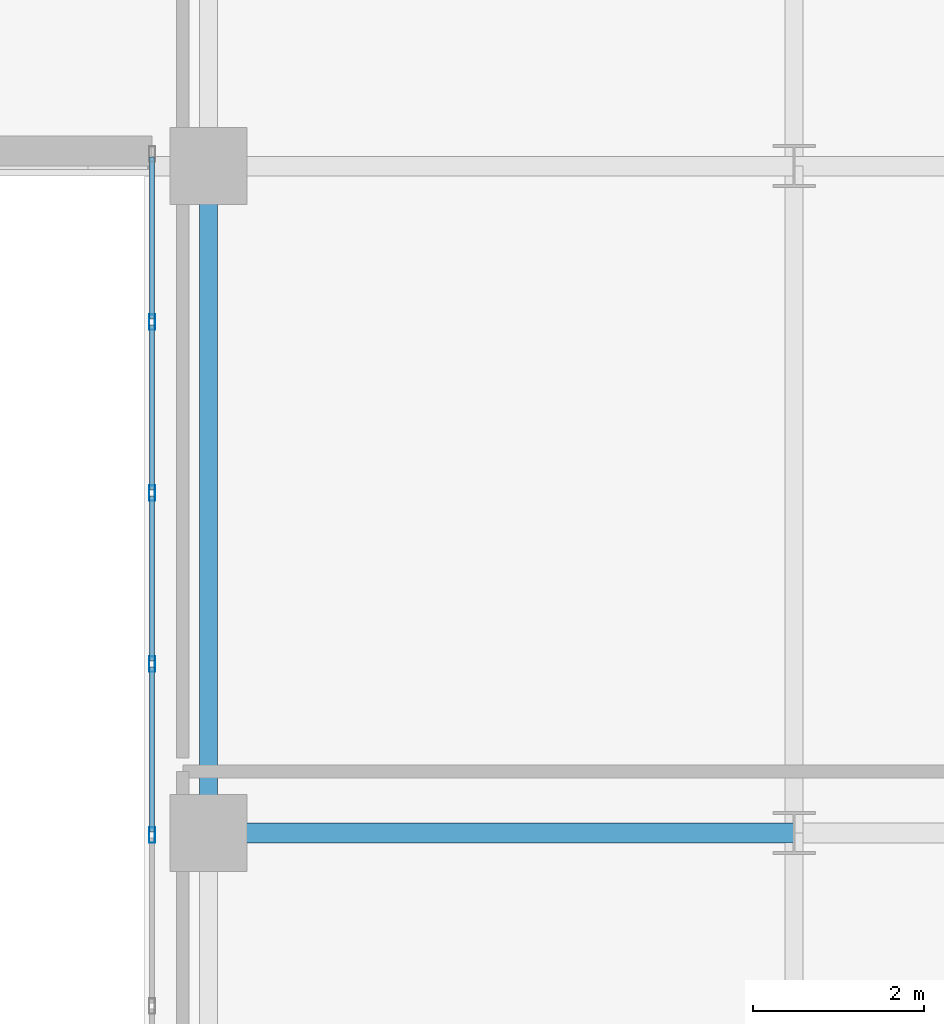
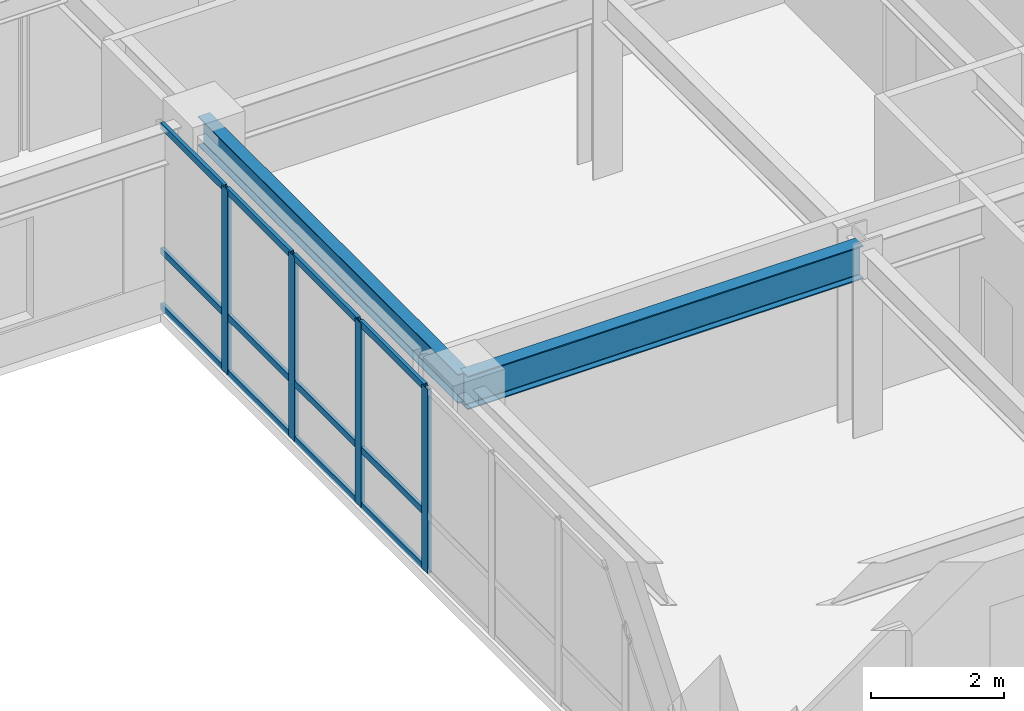
# One storey, part 16 of 37: 16 members, 2 beams, 1 element without a shape of its own.
"""IFC4 building model written with IfcOpenShell, lengths in metres."""

import ifcopenshell
import ifcopenshell.guid

model = None  # the IFC model being written
_history = None  # IfcOwnerHistory: only IFC2X3 demands one
_inside = {}  # id of a spatial element -> (the spatial element, [elements in it])
_under = {}  # id of a project, library or spatial element -> (it, [spatial elements below it])
_declared = {}  # id of a project -> (the project, [libraries it declares])
_typed = {}  # id of a type object -> (the type object, [elements of that type])
_made_of = {}  # id of a material, layer set ... -> (it, [elements and type objects made of it])


def new_model(schema):
    """Start an empty IFC model of exactly this schema.

    Asked for "IFC4X3", IfcOpenShell would pick the latest addendum, in which some entities
    have other attributes; the version numbers below select the first issue.
    IFC2X3 requires an IfcOwnerHistory on every rooted entity: one is made here for all.
    """
    global model, _history
    if schema == "IFC4X3":
        model = ifcopenshell.file(schema_version=(4, 3, 0, 0))
    else:
        model = ifcopenshell.file(schema=schema)
    _inside.clear()
    _under.clear()
    _declared.clear()
    _typed.clear()
    _made_of.clear()
    _history = None
    if model.schema == "IFC2X3":
        org = make("IfcOrganization", Name="unknown")
        user = make(
            "IfcPersonAndOrganization",
            ThePerson=make("IfcPerson", FamilyName="unknown"),
            TheOrganization=org,
        )
        app = make(
            "IfcApplication",
            ApplicationDeveloper=org,
            Version="unknown",
            ApplicationFullName="unknown",
            ApplicationIdentifier="unknown",
        )
        _history = make(
            "IfcOwnerHistory",
            OwningUser=user,
            OwningApplication=app,
            ChangeAction="ADDED",
            CreationDate=0,
        )
    return model


def make(cls, **values):
    """One entity of the class cls with the attributes given. An attribute that is None is left unset."""
    return model.create_entity(
        cls, **{name: value for name, value in values.items() if value is not None}
    )


def rooted(cls, **values):
    """An entity with a GlobalId (a new one), such as an element, a storey or a relation."""
    return make(cls, GlobalId=ifcopenshell.guid.new(), OwnerHistory=_history, **values)


def si_unit(unit_type, name, prefix=None):
    """IfcSIUnit, for example si_unit("LENGTHUNIT", "METRE", prefix="MILLI")."""
    return make("IfcSIUnit", UnitType=unit_type, Prefix=prefix, Name=name)


def assignment(units):
    """IfcUnitAssignment: the units of a project."""
    return None if units is None else make("IfcUnitAssignment", Units=units)


def point(xyz):
    """IfcCartesianPoint."""
    return None if xyz is None else make("IfcCartesianPoint", Coordinates=xyz)


def direction(xyz):
    """IfcDirection."""
    return None if xyz is None else make("IfcDirection", DirectionRatios=xyz)


def frame(location, z_axis=None, x_axis=None):
    """IfcAxis2Placement3D, a coordinate frame: its origin and axes. An axis left out is left unset."""
    return make(
        "IfcAxis2Placement3D",
        Location=point(location),
        Axis=direction(z_axis),
        RefDirection=direction(x_axis),
    )


def frame_2d(location, x_axis=None):
    """IfcAxis2Placement2D, a coordinate frame in the plane: its origin and x axis."""
    return make(
        "IfcAxis2Placement2D", Location=point(location), RefDirection=direction(x_axis)
    )


def origin():
    """The frame at (0, 0, 0) with its axes left unset."""
    return frame((0.0, 0.0, 0.0))


def origin_2d():
    """The frame at (0, 0) in the plane with its x axis left unset."""
    return frame_2d((0.0, 0.0))


def place(relative_to, where):
    """IfcLocalPlacement: puts the frame where relative to a parent placement (None: the world)."""
    return make(
        "IfcLocalPlacement", PlacementRelTo=relative_to, RelativePlacement=where
    )


def context(
    kind, dimensions, precision=None, world=None, true_north=None, identifier=None
):
    """IfcGeometricRepresentationContext, for example the 3D "Model" context."""
    return make(
        "IfcGeometricRepresentationContext",
        ContextIdentifier=identifier,
        ContextType=kind,
        CoordinateSpaceDimension=dimensions,
        Precision=precision,
        WorldCoordinateSystem=world,
        TrueNorth=true_north,
    )


def subcontext(parent, identifier, kind, view, scale=None):
    """IfcGeometricRepresentationSubContext, for example "Body" below "Model"."""
    return make(
        "IfcGeometricRepresentationSubContext",
        ContextIdentifier=identifier,
        ContextType=kind,
        ParentContext=parent,
        TargetScale=scale,
        TargetView=view,
    )


def project(units=None, contexts=None):
    """IfcProject with its units and contexts."""
    return rooted(
        "IfcProject",
        Name="project",
        RepresentationContexts=contexts,
        UnitsInContext=assignment(units),
    )


def spatial(cls, under=None, at=None, **own):
    """A site, building, storey or space (cls), placed at a placement, below another one or the project."""
    s = rooted(cls, ObjectPlacement=at, **own)
    if under is not None:
        _under.setdefault(under.id(), (under, []))[1].append(s)
    return s


def profile(cls, at=None, kind="AREA", **sizes):
    """A parametric profile (cls). Its sizes go by their IFC names, for example OverallWidth=200.0."""
    return make(cls, ProfileType=kind, Position=at, **sizes)


def hollow_rectangle(**sizes):
    """IfcRectangleHollowProfileDef."""
    return profile("IfcRectangleHollowProfileDef", **sizes)


def i_section(**sizes):
    """IfcIShapeProfileDef."""
    return profile("IfcIShapeProfileDef", **sizes)


def extrude(swept, where, along, depth):
    """IfcExtrudedAreaSolid: the profile swept, set in the frame where, extruded along a direction by depth."""
    return make(
        "IfcExtrudedAreaSolid",
        SweptArea=swept,
        Position=where,
        ExtrudedDirection=direction(along),
        Depth=depth,
    )


def shape(context_of_items, identifier, shape_type, items):
    """IfcShapeRepresentation: the items that make up one representation, for example the "Body"."""
    return make(
        "IfcShapeRepresentation",
        ContextOfItems=context_of_items,
        RepresentationIdentifier=identifier,
        RepresentationType=shape_type,
        Items=items,
    )


def source(mapping_origin, context_of_items, identifier, shape_type, items):
    """IfcRepresentationMap: a shape defined once, which mapped items show again and again."""
    return make(
        "IfcRepresentationMap",
        MappingOrigin=mapping_origin,
        MappedRepresentation=shape(context_of_items, identifier, shape_type, items),
    )


def transform(
    local_origin,
    x_axis=None,
    y_axis=None,
    z_axis=None,
    scale=None,
    scale2=None,
    scale3=None,
    uniform=True,
):
    """IfcCartesianTransformationOperator3D, or its non-uniform kind. x_axis, y_axis, z_axis: its Axis1, 2, 3."""
    if uniform:
        return make(
            "IfcCartesianTransformationOperator3D",
            Axis1=direction(x_axis),
            Axis2=direction(y_axis),
            LocalOrigin=point(local_origin),
            Scale=scale,
            Axis3=direction(z_axis),
        )
    return make(
        "IfcCartesianTransformationOperator3DnonUniform",
        Axis1=direction(x_axis),
        Axis2=direction(y_axis),
        LocalOrigin=point(local_origin),
        Scale=scale,
        Axis3=direction(z_axis),
        Scale2=scale2,
        Scale3=scale3,
    )


def mapped(mapping_source, mapping_target):
    """IfcMappedItem: shows the shape of a source again, moved by a transform."""
    return make(
        "IfcMappedItem", MappingSource=mapping_source, MappingTarget=mapping_target
    )


def material(Name=None, Category=None):
    """IfcMaterial."""
    return make("IfcMaterial", Name=Name, Category=Category)


def layer(
    of_material, thickness, ventilated=None, Name=None, Category=None, Priority=None
):
    """IfcMaterialLayer: one layer of a wall or slab, of a material (None: an air gap)."""
    return make(
        "IfcMaterialLayer",
        Material=of_material,
        LayerThickness=thickness,
        IsVentilated=ventilated,
        Name=Name,
        Category=Category,
        Priority=Priority,
    )


def layer_set(layers, Name=None):
    """IfcMaterialLayerSet."""
    return make("IfcMaterialLayerSet", MaterialLayers=layers, LayerSetName=Name)


def material_profile(
    of_material, cross_section, Name=None, Category=None, Priority=None
):
    """IfcMaterialProfile: a cross section and its material."""
    return make(
        "IfcMaterialProfile",
        Name=Name,
        Material=of_material,
        Profile=cross_section,
        Priority=Priority,
        Category=Category,
    )


def profile_set(profiles, Name=None, composite=None):
    """IfcMaterialProfileSet."""
    return make(
        "IfcMaterialProfileSet",
        Name=Name,
        MaterialProfiles=profiles,
        CompositeProfile=composite,
    )


def made_of(thing, what):
    """Note that an element or type object is made of a material, layer set ...; save() writes the relation."""
    if what is not None:
        _made_of.setdefault(what.id(), (what, []))[1].append(thing)
    return thing


def type_object(cls, material=None, **own):
    """A type object (cls), such as IfcWallType, which elements share."""
    return made_of(rooted(cls, **own), material)


def type_shapes(of_type, sources):
    """Give a type object the sources (RepresentationMaps) that its elements show as mapped items."""
    of_type.RepresentationMaps = sources


def element(
    cls,
    number,
    at=None,
    inside=None,
    cuts=None,
    type_object=None,
    material=None,
    context=None,
    identifier="Body",
    shape_type=None,
    held_by="IfcProductDefinitionShape",
    body=None,
    shapes=None,
    **own,
):
    """One element of the class cls, such as IfcWall. Its Tag is "e" and its number.

    at: its placement. inside: the storey or other place that contains it. cuts: it is an
    opening in that element (IfcRelVoidsElement). A single representation is given by context,
    identifier, shape_type and body (its items); several are given by shapes. held_by: the class
    of the entity that holds the representations. save() writes the other relations.
    """
    e = rooted(cls, Tag="e%d" % number, ObjectPlacement=at, **own)
    if body is not None:
        shapes = [shape(context, identifier, shape_type, body)]
    if shapes is not None:
        e.Representation = make(held_by, Representations=shapes)
    if inside is not None:
        _inside.setdefault(inside.id(), (inside, []))[1].append(e)
    if cuts is not None:
        rooted(
            "IfcRelVoidsElement", RelatingBuildingElement=cuts, RelatedOpeningElement=e
        )
    if type_object is not None:
        _typed.setdefault(type_object.id(), (type_object, []))[1].append(e)
    return made_of(e, material)


def aggregate(whole, parts):
    """IfcRelAggregates: a whole, such as a stair, and the parts it consists of."""
    return rooted("IfcRelAggregates", RelatingObject=whole, RelatedObjects=parts)


def save(model, path):
    """Write the relations noted so far, then the file.

    IfcRelAggregates (storeys below a building ...), IfcRelContainedInSpatialStructure (elements
    in a storey), IfcRelDefinesByType, IfcRelAssociatesMaterial and IfcRelDeclares: one each for
    every whole, place, type object, material and project.
    """
    for whole, parts in _under.values():
        aggregate(whole, parts)
    for where, things in _inside.values():
        rooted(
            "IfcRelContainedInSpatialStructure",
            RelatedElements=things,
            RelatingStructure=where,
        )
    for kind, things in _typed.values():
        rooted("IfcRelDefinesByType", RelatedObjects=things, RelatingType=kind)
    for what, things in _made_of.values():
        rooted("IfcRelAssociatesMaterial", RelatedObjects=things, RelatingMaterial=what)
    for by, libraries in _declared.values():
        rooted("IfcRelDeclares", RelatingContext=by, RelatedDefinitions=libraries)
    model.write(path)


model = new_model("IFC4")

# Units and contexts
model_context = context("Model", 3, precision=1e-05, world=origin(), true_north=direction((0.0, 1.0)))
body_context = subcontext(model_context, "Body", "Model", "MODEL_VIEW")
ifc_project = project(units=[si_unit("LENGTHUNIT", "METRE"), si_unit("AREAUNIT", "SQUARE_METRE"), si_unit("VOLUMEUNIT", "CUBIC_METRE"), si_unit("PLANEANGLEUNIT", "RADIAN"), si_unit("MASSUNIT", "GRAM", prefix="KILO")], contexts=[model_context])

# Site, building, storey
site_placement = place(None, origin())
site = spatial("IfcSite", under=ifc_project, at=site_placement, CompositionType="ELEMENT")
building_placement = place(site_placement, origin())
building = spatial("IfcBuilding", under=site, at=building_placement, Name="Tolvann Quenvar Hotel", CompositionType="ELEMENT")
storey_placement = place(building_placement, frame((0.0, 0.0, 104.449951171875)))
storey = spatial("IfcBuildingStorey", under=building, at=storey_placement, Name="L26", CompositionType="ELEMENT", Elevation=104.449951171875)

# Beams
ifc_material_1 = material(Name="Steel Grade 350", Category="steel")
ifc_material_profile_1 = material_profile(ifc_material_1, i_section(OverallWidth=0.22900390625, OverallDepth=0.612060546875, WebThickness=0.011962890625, FlangeThickness=0.01953125, FilletRadius=0.013916015625, at=origin_2d()), Name="610UB125")
ifc_profile_set_1 = profile_set([ifc_material_profile_1], Name="Steel Grade 350")
beam_type_1 = type_object("IfcBeamType", Name="BM_GIRD_610UB125", PredefinedType="BEAM", material=ifc_profile_set_1)
shared_shape_1 = source(origin(), body_context, "Body", "SweptSolid", [
    extrude(i_section(OverallWidth=0.22900390625, OverallDepth=0.612060546875, WebThickness=0.011962890625, FlangeThickness=0.01953125, FilletRadius=0.013916015625, at=origin_2d()), origin(), (0.0, 0.0, 1.0), 6.85009765625),
])
type_shapes(beam_type_1, [shared_shape_1])
beam_1_placement = place(storey_placement, frame((34.949951171875, 8.199951171875, 3.06396484375), z_axis=(1.0, 0.0, 0.0), x_axis=(0.0, 1.0, 0.0)))
element("IfcBeam", 1, at=beam_1_placement, inside=storey, type_object=beam_type_1, Name="BM-L26-EW-3-F3-H3", PredefinedType="BEAM", context=body_context, shape_type="MappedRepresentation", body=[
    mapped(shared_shape_1, transform((0.0, 0.0, 0.0), x_axis=(1.0, 0.0, 0.0), y_axis=(0.0, 1.0, 0.0), z_axis=(0.0, 0.0, 1.0), scale=1.0)),
])
ifc_material_profile_2 = material_profile(ifc_material_1, i_section(OverallWidth=0.208984375, OverallDepth=0.532958984375, WebThickness=0.01025390625, FlangeThickness=0.015625, FilletRadius=0.013916015625, at=origin_2d()), Name="530UB92")
ifc_profile_set_2 = profile_set([ifc_material_profile_2], Name="Steel Grade 350")
beam_type_2 = type_object("IfcBeamType", Name="BM_GIRD_530UB92", PredefinedType="BEAM", material=ifc_profile_set_2)
shared_shape_2 = source(origin(), body_context, "Body", "SweptSolid", [
    extrude(i_section(OverallWidth=0.208984375, OverallDepth=0.532958984375, WebThickness=0.01025390625, FlangeThickness=0.015625, FilletRadius=0.013916015625, at=origin_2d()), origin(), (0.0, 0.0, 1.0), 7.800048828125),
])
type_shapes(beam_type_2, [shared_shape_2])
beam_2_placement = place(storey_placement, frame((34.949951171875, 8.199951171875, 3.103515625), z_axis=(0.0, 1.0, 0.0), x_axis=(-1.0, 0.0, 0.0)))
element("IfcBeam", 2, at=beam_2_placement, inside=storey, type_object=beam_type_2, Name="BM-L26-NS-F3-F4", PredefinedType="BEAM", context=body_context, shape_type="MappedRepresentation", body=[
    mapped(shared_shape_2, transform((0.0, 0.0, 0.0), x_axis=(1.0, 0.0, 0.0), y_axis=(0.0, 1.0, 0.0), z_axis=(0.0, 0.0, 1.0), scale=1.0)),
])

# Curtain wall, members
ifc_material_2 = material(Name="Thermally broken anodised architectural aluminium 6063-T6 and laminated low-E glass", Category="aluminium")
ifc_layer = layer(ifc_material_2, 0.179931640625)
ifc_layer_set = layer_set([ifc_layer], Name="Thermally broken anodised architectural aluminium 6063-T6 and laminated low-E glass")
curtain_wall_type = type_object("IfcCurtainWallType", Name="CW_SYS_SLOT_03", PredefinedType="USERDEFINED", material=ifc_layer_set)
curtain_wall_placement = place(storey_placement, origin())
curtain_wall = element("IfcCurtainWall", 3, at=curtain_wall_placement, inside=storey, type_object=curtain_wall_type, Name="Curtain Wall CW-SLOT-03 (CWR-L26-E07)", ObjectType="UNITISED CURTAIN WALL", PredefinedType="USERDEFINED")
ifc_material_3 = material(Name="Anodised architectural aluminium 6063-T6 framing", Category="aluminium")
ifc_material_profile_3 = material_profile(ifc_material_3, hollow_rectangle(XDim=0.070068359375, YDim=0.179931640625, WallThickness=0.00390625, at=origin_2d()), Name="180x70x4RHS")
ifc_profile_set_3 = profile_set([ifc_material_profile_3], Name="Anodised architectural aluminium 6063-T6 framing")
member_type_1 = type_object("IfcMemberType", Name="CW_MULL_180x70", PredefinedType="MULLION", material=ifc_profile_set_3)
shared_shape_3 = source(origin(), body_context, "Body", "SweptSolid", [
    extrude(hollow_rectangle(XDim=0.070068359375, YDim=0.179931640625, WallThickness=0.00390625, at=origin_2d()), origin(), (0.0, 0.0, 1.0), 3.3701171875),
])
type_shapes(member_type_1, [shared_shape_3])
member_1_placement = place(storey_placement, frame((34.2900390625, 14.175048828125, 0.0), z_axis=(0.0, 0.0, 1.0), x_axis=(1.0, 0.0, 0.0)))
member_1 = element("IfcMember", 4, at=member_1_placement, type_object=member_type_1, Name="CW-SLOT-03 mullion 2", PredefinedType="MULLION", context=body_context, shape_type="MappedRepresentation", body=[
    mapped(shared_shape_3, transform((0.0, 0.0, 0.0), x_axis=(1.0, 0.0, 0.0), y_axis=(0.0, 1.0, 0.0), z_axis=(0.0, 0.0, 1.0), scale=1.0)),
])
member_2_placement = place(storey_placement, frame((34.2900390625, 12.175048828125, 0.0), z_axis=(0.0, 0.0, 1.0), x_axis=(1.0, 0.0, 0.0)))
member_2 = element("IfcMember", 5, at=member_2_placement, type_object=member_type_1, Name="CW-SLOT-03 mullion 3", PredefinedType="MULLION", context=body_context, shape_type="MappedRepresentation", body=[
    mapped(shared_shape_3, transform((0.0, 0.0, 0.0), x_axis=(1.0, 0.0, 0.0), y_axis=(0.0, 1.0, 0.0), z_axis=(0.0, 0.0, 1.0), scale=1.0)),
])
member_3_placement = place(storey_placement, frame((34.2900390625, 10.175048828125, 0.0), z_axis=(0.0, 0.0, 1.0), x_axis=(1.0, 0.0, 0.0)))
member_3 = element("IfcMember", 6, at=member_3_placement, type_object=member_type_1, Name="CW-SLOT-03 mullion 4", PredefinedType="MULLION", context=body_context, shape_type="MappedRepresentation", body=[
    mapped(shared_shape_3, transform((0.0, 0.0, 0.0), x_axis=(1.0, 0.0, 0.0), y_axis=(0.0, 1.0, 0.0), z_axis=(0.0, 0.0, 1.0), scale=1.0)),
])
member_4_placement = place(storey_placement, frame((34.2900390625, 8.175048828125, 0.0), z_axis=(0.0, 0.0, 1.0), x_axis=(1.0, 0.0, 0.0)))
member_4 = element("IfcMember", 7, at=member_4_placement, type_object=member_type_1, Name="CW-SLOT-03 mullion 5", PredefinedType="MULLION", context=body_context, shape_type="MappedRepresentation", body=[
    mapped(shared_shape_3, transform((0.0, 0.0, 0.0), x_axis=(1.0, 0.0, 0.0), y_axis=(0.0, 1.0, 0.0), z_axis=(0.0, 0.0, 1.0), scale=1.0)),
])
ifc_material_profile_4 = material_profile(ifc_material_3, hollow_rectangle(XDim=0.06005859375, YDim=0.1201171875, WallThickness=0.00341796875, at=origin_2d()), Name="120x60x3.5RHS")
ifc_profile_set_4 = profile_set([ifc_material_profile_4], Name="Anodised architectural aluminium 6063-T6 framing")
member_type_2 = type_object("IfcMemberType", Name="CW_TRAN_120x60", PredefinedType="USERDEFINED", material=ifc_profile_set_4)
shared_shape_4 = source(origin(), body_context, "Body", "SweptSolid", [
    extrude(hollow_rectangle(XDim=0.06005859375, YDim=0.1201171875, WallThickness=0.00341796875, at=origin_2d()), origin(), (0.0, 0.0, 1.0), 1.929931640625),
])
member_5_placement = place(storey_placement, frame((34.2900390625, 14.139892578125, 0.030029296875), z_axis=(0.0, -1.0, 0.0), x_axis=(1.0, 0.0, 0.0)))
member_5 = element("IfcMember", 8, at=member_5_placement, type_object=member_type_2, Name="CW-SLOT-03 transom 2.1", ObjectType="TRANSOM", PredefinedType="USERDEFINED", context=body_context, shape_type="MappedRepresentation", body=[
    mapped(shared_shape_4, transform((0.0, 0.0, 0.0), x_axis=(1.0, 0.0, 0.0), y_axis=(0.0, 1.0, 0.0), z_axis=(0.0, 0.0, 1.0), scale=1.0)),
])
member_6_placement = place(storey_placement, frame((34.2900390625, 14.139892578125, 1.050048828125), z_axis=(0.0, -1.0, 0.0), x_axis=(1.0, 0.0, 0.0)))
member_6 = element("IfcMember", 9, at=member_6_placement, type_object=member_type_2, Name="CW-SLOT-03 transom 2.2", ObjectType="TRANSOM", PredefinedType="USERDEFINED", context=body_context, shape_type="MappedRepresentation", body=[
    mapped(shared_shape_4, transform((0.0, 0.0, 0.0), x_axis=(1.0, 0.0, 0.0), y_axis=(0.0, 1.0, 0.0), z_axis=(0.0, 0.0, 1.0), scale=1.0)),
])
member_7_placement = place(storey_placement, frame((34.2900390625, 14.139892578125, 3.340087890625), z_axis=(0.0, -1.0, 0.0), x_axis=(1.0, 0.0, 0.0)))
member_7 = element("IfcMember", 10, at=member_7_placement, type_object=member_type_2, Name="CW-SLOT-03 transom 2.3", ObjectType="TRANSOM", PredefinedType="USERDEFINED", context=body_context, shape_type="MappedRepresentation", body=[
    mapped(shared_shape_4, transform((0.0, 0.0, 0.0), x_axis=(1.0, 0.0, 0.0), y_axis=(0.0, 1.0, 0.0), z_axis=(0.0, 0.0, 1.0), scale=1.0)),
])
member_8_placement = place(storey_placement, frame((34.2900390625, 12.139892578125, 0.030029296875), z_axis=(0.0, -1.0, 0.0), x_axis=(1.0, 0.0, 0.0)))
member_8 = element("IfcMember", 11, at=member_8_placement, type_object=member_type_2, Name="CW-SLOT-03 transom 3.1", ObjectType="TRANSOM", PredefinedType="USERDEFINED", context=body_context, shape_type="MappedRepresentation", body=[
    mapped(shared_shape_4, transform((0.0, 0.0, 0.0), x_axis=(1.0, 0.0, 0.0), y_axis=(0.0, 1.0, 0.0), z_axis=(0.0, 0.0, 1.0), scale=1.0)),
])
member_9_placement = place(storey_placement, frame((34.2900390625, 12.139892578125, 1.050048828125), z_axis=(0.0, -1.0, 0.0), x_axis=(1.0, 0.0, 0.0)))
member_9 = element("IfcMember", 12, at=member_9_placement, type_object=member_type_2, Name="CW-SLOT-03 transom 3.2", ObjectType="TRANSOM", PredefinedType="USERDEFINED", context=body_context, shape_type="MappedRepresentation", body=[
    mapped(shared_shape_4, transform((0.0, 0.0, 0.0), x_axis=(1.0, 0.0, 0.0), y_axis=(0.0, 1.0, 0.0), z_axis=(0.0, 0.0, 1.0), scale=1.0)),
])
member_10_placement = place(storey_placement, frame((34.2900390625, 12.139892578125, 3.340087890625), z_axis=(0.0, -1.0, 0.0), x_axis=(1.0, 0.0, 0.0)))
member_10 = element("IfcMember", 13, at=member_10_placement, type_object=member_type_2, Name="CW-SLOT-03 transom 3.3", ObjectType="TRANSOM", PredefinedType="USERDEFINED", context=body_context, shape_type="MappedRepresentation", body=[
    mapped(shared_shape_4, transform((0.0, 0.0, 0.0), x_axis=(1.0, 0.0, 0.0), y_axis=(0.0, 1.0, 0.0), z_axis=(0.0, 0.0, 1.0), scale=1.0)),
])
member_11_placement = place(storey_placement, frame((34.2900390625, 10.139892578125, 0.030029296875), z_axis=(0.0, -1.0, 0.0), x_axis=(1.0, 0.0, 0.0)))
member_11 = element("IfcMember", 14, at=member_11_placement, type_object=member_type_2, Name="CW-SLOT-03 transom 4.1", ObjectType="TRANSOM", PredefinedType="USERDEFINED", context=body_context, shape_type="MappedRepresentation", body=[
    mapped(shared_shape_4, transform((0.0, 0.0, 0.0), x_axis=(1.0, 0.0, 0.0), y_axis=(0.0, 1.0, 0.0), z_axis=(0.0, 0.0, 1.0), scale=1.0)),
])
member_12_placement = place(storey_placement, frame((34.2900390625, 10.139892578125, 1.050048828125), z_axis=(0.0, -1.0, 0.0), x_axis=(1.0, 0.0, 0.0)))
member_12 = element("IfcMember", 15, at=member_12_placement, type_object=member_type_2, Name="CW-SLOT-03 transom 4.2", ObjectType="TRANSOM", PredefinedType="USERDEFINED", context=body_context, shape_type="MappedRepresentation", body=[
    mapped(shared_shape_4, transform((0.0, 0.0, 0.0), x_axis=(1.0, 0.0, 0.0), y_axis=(0.0, 1.0, 0.0), z_axis=(0.0, 0.0, 1.0), scale=1.0)),
])
member_13_placement = place(storey_placement, frame((34.2900390625, 10.139892578125, 3.340087890625), z_axis=(0.0, -1.0, 0.0), x_axis=(1.0, 0.0, 0.0)))
member_13 = element("IfcMember", 16, at=member_13_placement, type_object=member_type_2, Name="CW-SLOT-03 transom 4.3", ObjectType="TRANSOM", PredefinedType="USERDEFINED", context=body_context, shape_type="MappedRepresentation", body=[
    mapped(shared_shape_4, transform((0.0, 0.0, 0.0), x_axis=(1.0, 0.0, 0.0), y_axis=(0.0, 1.0, 0.0), z_axis=(0.0, 0.0, 1.0), scale=1.0)),
])
shared_shape_5 = source(origin(), body_context, "Body", "SweptSolid", [
    extrude(hollow_rectangle(XDim=0.06005859375, YDim=0.1201171875, WallThickness=0.00341796875, at=origin_2d()), origin(), (0.0, 0.0, 1.0), 1.89501953125),
])
type_shapes(member_type_2, [shared_shape_4, shared_shape_5])
member_14_placement = place(storey_placement, frame((34.2900390625, 16.10498046875, 0.030029296875), z_axis=(0.0, -1.0, 0.0), x_axis=(1.0, 0.0, 0.0)))
member_14 = element("IfcMember", 17, at=member_14_placement, type_object=member_type_2, Name="CW-SLOT-03 transom 1.1", ObjectType="TRANSOM", PredefinedType="USERDEFINED", context=body_context, shape_type="MappedRepresentation", body=[
    mapped(shared_shape_5, transform((0.0, 0.0, 0.0), x_axis=(1.0, 0.0, 0.0), y_axis=(0.0, 1.0, 0.0), z_axis=(0.0, 0.0, 1.0), scale=1.0)),
])
member_15_placement = place(storey_placement, frame((34.2900390625, 16.10498046875, 1.050048828125), z_axis=(0.0, -1.0, 0.0), x_axis=(1.0, 0.0, 0.0)))
member_15 = element("IfcMember", 18, at=member_15_placement, type_object=member_type_2, Name="CW-SLOT-03 transom 1.2", ObjectType="TRANSOM", PredefinedType="USERDEFINED", context=body_context, shape_type="MappedRepresentation", body=[
    mapped(shared_shape_5, transform((0.0, 0.0, 0.0), x_axis=(1.0, 0.0, 0.0), y_axis=(0.0, 1.0, 0.0), z_axis=(0.0, 0.0, 1.0), scale=1.0)),
])
member_16_placement = place(storey_placement, frame((34.2900390625, 16.10498046875, 3.340087890625), z_axis=(0.0, -1.0, 0.0), x_axis=(1.0, 0.0, 0.0)))
member_16 = element("IfcMember", 19, at=member_16_placement, type_object=member_type_2, Name="CW-SLOT-03 transom 1.3", ObjectType="TRANSOM", PredefinedType="USERDEFINED", context=body_context, shape_type="MappedRepresentation", body=[
    mapped(shared_shape_5, transform((0.0, 0.0, 0.0), x_axis=(1.0, 0.0, 0.0), y_axis=(0.0, 1.0, 0.0), z_axis=(0.0, 0.0, 1.0), scale=1.0)),
])
aggregate(curtain_wall, [member_1, member_2, member_3, member_4, member_14, member_15, member_16, member_5, member_6, member_7, member_8, member_9, member_10, member_11, member_12, member_13])

save(model, "model.ifc")
